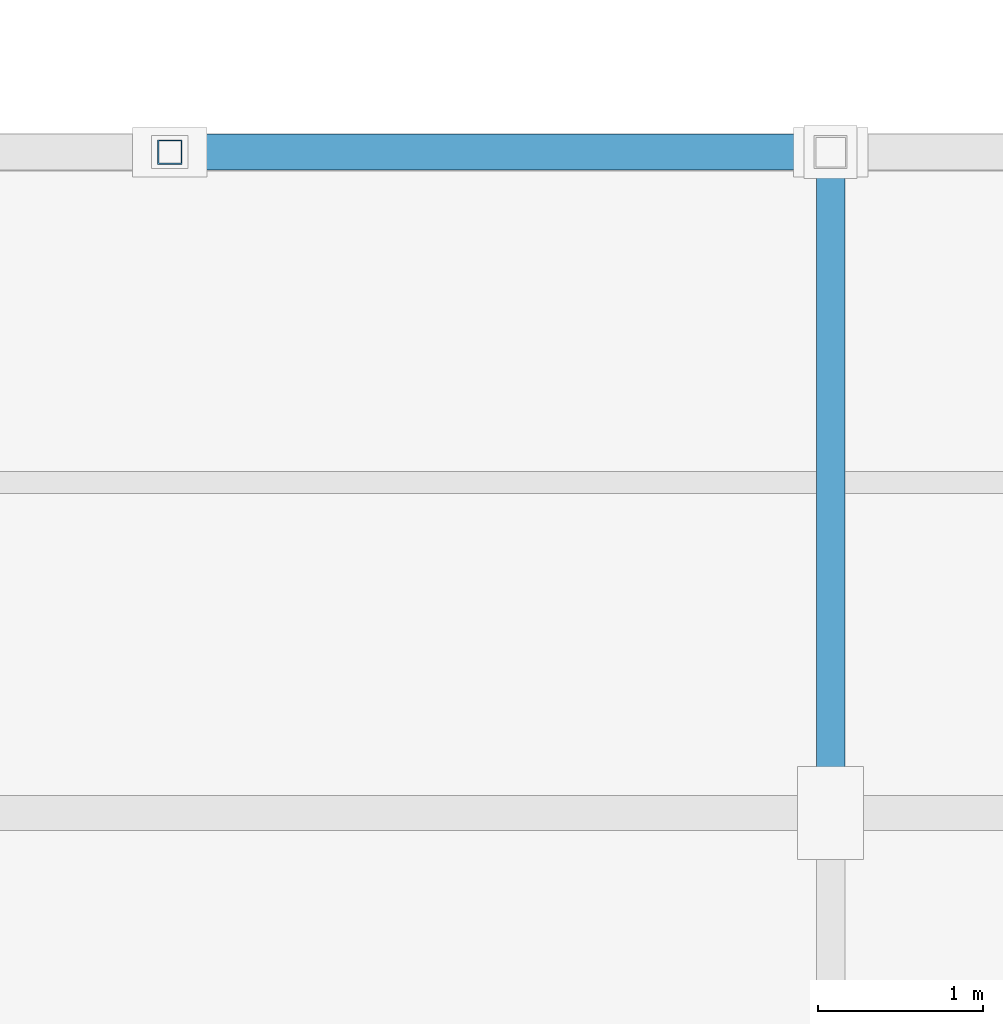
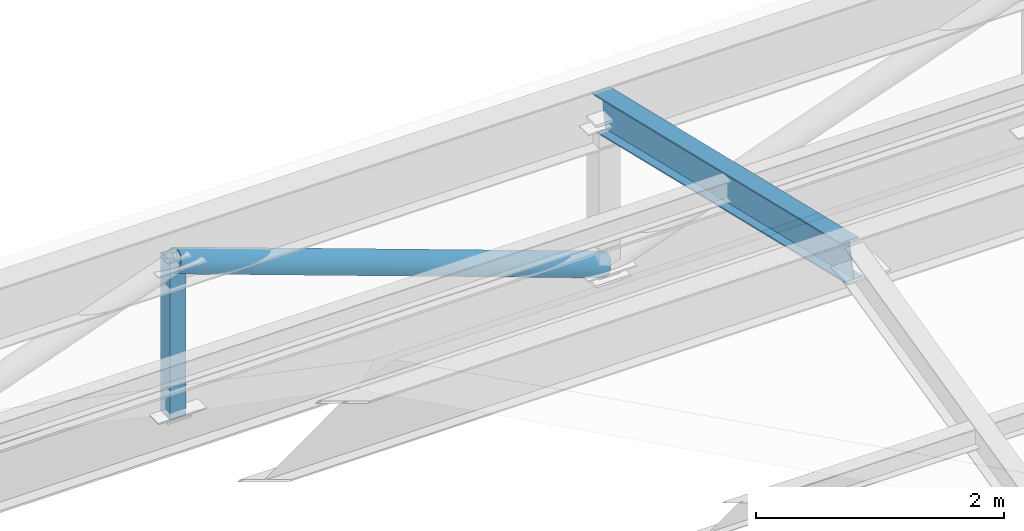
# One storey, part 63 of 112: 3 members.
"""IFC4 building model written with IfcOpenShell, lengths in metres."""

import ifcopenshell
import ifcopenshell.guid

model = None  # the IFC model being written
_history = None  # IfcOwnerHistory: only IFC2X3 demands one
_inside = {}  # id of a spatial element -> (the spatial element, [elements in it])
_under = {}  # id of a project, library or spatial element -> (it, [spatial elements below it])
_declared = {}  # id of a project -> (the project, [libraries it declares])
_typed = {}  # id of a type object -> (the type object, [elements of that type])
_made_of = {}  # id of a material, layer set ... -> (it, [elements and type objects made of it])


def new_model(schema):
    """Start an empty IFC model of exactly this schema.

    Asked for "IFC4X3", IfcOpenShell would pick the latest addendum, in which some entities
    have other attributes; the version numbers below select the first issue.
    IFC2X3 requires an IfcOwnerHistory on every rooted entity: one is made here for all.
    """
    global model, _history
    if schema == "IFC4X3":
        model = ifcopenshell.file(schema_version=(4, 3, 0, 0))
    else:
        model = ifcopenshell.file(schema=schema)
    _inside.clear()
    _under.clear()
    _declared.clear()
    _typed.clear()
    _made_of.clear()
    _history = None
    if model.schema == "IFC2X3":
        org = make("IfcOrganization", Name="unknown")
        user = make(
            "IfcPersonAndOrganization",
            ThePerson=make("IfcPerson", FamilyName="unknown"),
            TheOrganization=org,
        )
        app = make(
            "IfcApplication",
            ApplicationDeveloper=org,
            Version="unknown",
            ApplicationFullName="unknown",
            ApplicationIdentifier="unknown",
        )
        _history = make(
            "IfcOwnerHistory",
            OwningUser=user,
            OwningApplication=app,
            ChangeAction="ADDED",
            CreationDate=0,
        )
    return model


def make(cls, **values):
    """One entity of the class cls with the attributes given. An attribute that is None is left unset."""
    return model.create_entity(
        cls, **{name: value for name, value in values.items() if value is not None}
    )


def rooted(cls, **values):
    """An entity with a GlobalId (a new one), such as an element, a storey or a relation."""
    return make(cls, GlobalId=ifcopenshell.guid.new(), OwnerHistory=_history, **values)


def si_unit(unit_type, name, prefix=None):
    """IfcSIUnit, for example si_unit("LENGTHUNIT", "METRE", prefix="MILLI")."""
    return make("IfcSIUnit", UnitType=unit_type, Prefix=prefix, Name=name)


def assignment(units):
    """IfcUnitAssignment: the units of a project."""
    return None if units is None else make("IfcUnitAssignment", Units=units)


def point(xyz):
    """IfcCartesianPoint."""
    return None if xyz is None else make("IfcCartesianPoint", Coordinates=xyz)


def direction(xyz):
    """IfcDirection."""
    return None if xyz is None else make("IfcDirection", DirectionRatios=xyz)


def frame(location, z_axis=None, x_axis=None):
    """IfcAxis2Placement3D, a coordinate frame: its origin and axes. An axis left out is left unset."""
    return make(
        "IfcAxis2Placement3D",
        Location=point(location),
        Axis=direction(z_axis),
        RefDirection=direction(x_axis),
    )


def frame_2d(location, x_axis=None):
    """IfcAxis2Placement2D, a coordinate frame in the plane: its origin and x axis."""
    return make(
        "IfcAxis2Placement2D", Location=point(location), RefDirection=direction(x_axis)
    )


def origin():
    """The frame at (0, 0, 0) with its axes left unset."""
    return frame((0.0, 0.0, 0.0))


def origin_2d():
    """The frame at (0, 0) in the plane with its x axis left unset."""
    return frame_2d((0.0, 0.0))


def place(relative_to, where):
    """IfcLocalPlacement: puts the frame where relative to a parent placement (None: the world)."""
    return make(
        "IfcLocalPlacement", PlacementRelTo=relative_to, RelativePlacement=where
    )


def context(
    kind, dimensions, precision=None, world=None, true_north=None, identifier=None
):
    """IfcGeometricRepresentationContext, for example the 3D "Model" context."""
    return make(
        "IfcGeometricRepresentationContext",
        ContextIdentifier=identifier,
        ContextType=kind,
        CoordinateSpaceDimension=dimensions,
        Precision=precision,
        WorldCoordinateSystem=world,
        TrueNorth=true_north,
    )


def subcontext(parent, identifier, kind, view, scale=None):
    """IfcGeometricRepresentationSubContext, for example "Body" below "Model"."""
    return make(
        "IfcGeometricRepresentationSubContext",
        ContextIdentifier=identifier,
        ContextType=kind,
        ParentContext=parent,
        TargetScale=scale,
        TargetView=view,
    )


def project(units=None, contexts=None):
    """IfcProject with its units and contexts."""
    return rooted(
        "IfcProject",
        Name="project",
        RepresentationContexts=contexts,
        UnitsInContext=assignment(units),
    )


def spatial(cls, under=None, at=None, **own):
    """A site, building, storey or space (cls), placed at a placement, below another one or the project."""
    s = rooted(cls, ObjectPlacement=at, **own)
    if under is not None:
        _under.setdefault(under.id(), (under, []))[1].append(s)
    return s


def profile(cls, at=None, kind="AREA", **sizes):
    """A parametric profile (cls). Its sizes go by their IFC names, for example OverallWidth=200.0."""
    return make(cls, ProfileType=kind, Position=at, **sizes)


def hollow_rectangle(**sizes):
    """IfcRectangleHollowProfileDef."""
    return profile("IfcRectangleHollowProfileDef", **sizes)


def hollow_circle(**sizes):
    """IfcCircleHollowProfileDef."""
    return profile("IfcCircleHollowProfileDef", **sizes)


def i_section(**sizes):
    """IfcIShapeProfileDef."""
    return profile("IfcIShapeProfileDef", **sizes)


def extrude(swept, where, along, depth):
    """IfcExtrudedAreaSolid: the profile swept, set in the frame where, extruded along a direction by depth."""
    return make(
        "IfcExtrudedAreaSolid",
        SweptArea=swept,
        Position=where,
        ExtrudedDirection=direction(along),
        Depth=depth,
    )


def shape(context_of_items, identifier, shape_type, items):
    """IfcShapeRepresentation: the items that make up one representation, for example the "Body"."""
    return make(
        "IfcShapeRepresentation",
        ContextOfItems=context_of_items,
        RepresentationIdentifier=identifier,
        RepresentationType=shape_type,
        Items=items,
    )


def material(Name=None, Category=None):
    """IfcMaterial."""
    return make("IfcMaterial", Name=Name, Category=Category)


def material_profile(
    of_material, cross_section, Name=None, Category=None, Priority=None
):
    """IfcMaterialProfile: a cross section and its material."""
    return make(
        "IfcMaterialProfile",
        Name=Name,
        Material=of_material,
        Profile=cross_section,
        Priority=Priority,
        Category=Category,
    )


def profile_set(profiles, Name=None, composite=None):
    """IfcMaterialProfileSet."""
    return make(
        "IfcMaterialProfileSet",
        Name=Name,
        MaterialProfiles=profiles,
        CompositeProfile=composite,
    )


def made_of(thing, what):
    """Note that an element or type object is made of a material, layer set ...; save() writes the relation."""
    if what is not None:
        _made_of.setdefault(what.id(), (what, []))[1].append(thing)
    return thing


def type_object(cls, material=None, **own):
    """A type object (cls), such as IfcWallType, which elements share."""
    return made_of(rooted(cls, **own), material)


def element(
    cls,
    number,
    at=None,
    inside=None,
    cuts=None,
    type_object=None,
    material=None,
    context=None,
    identifier="Body",
    shape_type=None,
    held_by="IfcProductDefinitionShape",
    body=None,
    shapes=None,
    **own,
):
    """One element of the class cls, such as IfcWall. Its Tag is "e" and its number.

    at: its placement. inside: the storey or other place that contains it. cuts: it is an
    opening in that element (IfcRelVoidsElement). A single representation is given by context,
    identifier, shape_type and body (its items); several are given by shapes. held_by: the class
    of the entity that holds the representations. save() writes the other relations.
    """
    e = rooted(cls, Tag="e%d" % number, ObjectPlacement=at, **own)
    if body is not None:
        shapes = [shape(context, identifier, shape_type, body)]
    if shapes is not None:
        e.Representation = make(held_by, Representations=shapes)
    if inside is not None:
        _inside.setdefault(inside.id(), (inside, []))[1].append(e)
    if cuts is not None:
        rooted(
            "IfcRelVoidsElement", RelatingBuildingElement=cuts, RelatedOpeningElement=e
        )
    if type_object is not None:
        _typed.setdefault(type_object.id(), (type_object, []))[1].append(e)
    return made_of(e, material)


def aggregate(whole, parts):
    """IfcRelAggregates: a whole, such as a stair, and the parts it consists of."""
    return rooted("IfcRelAggregates", RelatingObject=whole, RelatedObjects=parts)


def save(model, path):
    """Write the relations noted so far, then the file.

    IfcRelAggregates (storeys below a building ...), IfcRelContainedInSpatialStructure (elements
    in a storey), IfcRelDefinesByType, IfcRelAssociatesMaterial and IfcRelDeclares: one each for
    every whole, place, type object, material and project.
    """
    for whole, parts in _under.values():
        aggregate(whole, parts)
    for where, things in _inside.values():
        rooted(
            "IfcRelContainedInSpatialStructure",
            RelatedElements=things,
            RelatingStructure=where,
        )
    for kind, things in _typed.values():
        rooted("IfcRelDefinesByType", RelatedObjects=things, RelatingType=kind)
    for what, things in _made_of.values():
        rooted("IfcRelAssociatesMaterial", RelatedObjects=things, RelatingMaterial=what)
    for by, libraries in _declared.values():
        rooted("IfcRelDeclares", RelatingContext=by, RelatedDefinitions=libraries)
    model.write(path)


model = new_model("IFC4")

# Units and contexts
model_context = context("Model", 3, precision=1e-05, world=origin(), true_north=direction((0.0, 1.0)))
body_context = subcontext(model_context, "Body", "Model", "MODEL_VIEW")
ifc_project = project(units=[si_unit("LENGTHUNIT", "METRE"), si_unit("AREAUNIT", "SQUARE_METRE"), si_unit("VOLUMEUNIT", "CUBIC_METRE"), si_unit("PLANEANGLEUNIT", "RADIAN"), si_unit("MASSUNIT", "GRAM", prefix="KILO")], contexts=[model_context])

# Site, building, storey
site_placement = place(None, origin())
site = spatial("IfcSite", under=ifc_project, at=site_placement, CompositionType="ELEMENT")
building_placement = place(site_placement, origin())
building = spatial("IfcBuilding", under=site, at=building_placement, Name="Celadon Cloister-Ring School", CompositionType="ELEMENT")
storey_placement = place(building_placement, frame((0.0, 0.0, 8.5)))
storey = spatial("IfcBuildingStorey", under=building, at=storey_placement, Name="L02", CompositionType="ELEMENT", Elevation=8.5)

# Members
ifc_material_1 = material(Name="Structural steel S355JR", Category="steel")
ifc_material_profile_1 = material_profile(ifc_material_1, hollow_rectangle(XDim=0.14990234375, YDim=0.14990234375, WallThickness=0.008056640625, at=origin_2d()), Name="HSS150X150X8")
ifc_profile_set_1 = profile_set([ifc_material_profile_1], Name="Structural steel S355JR")
member_type_1 = type_object("IfcMemberType", Name="MB-05", PredefinedType="BRACE", material=ifc_profile_set_1)
member_1_placement = place(storey_placement, frame((154.0, 114.0, 0.919921875), z_axis=(0.0, 0.0, 1.0), x_axis=(1.0, 0.0, 0.0)))
element("IfcMember", 1, at=member_1_placement, inside=storey, type_object=member_type_1, Name="Structural Member 0495", PredefinedType="BRACE", context=body_context, shape_type="SweptSolid", body=[
    extrude(hollow_rectangle(XDim=0.14990234375, YDim=0.14990234375, WallThickness=0.008056640625, at=origin_2d()), origin(), (0.0, 0.0, 1.0), 1.56005859375),
])
ifc_material_2 = material(Name="Structural steel S355JR", Category="steel")
ifc_material_profile_2 = material_profile(ifc_material_2, hollow_circle(Radius=0.109619140625, WallThickness=0.010009765625, at=origin_2d()), Name="CHS219.1X10")
ifc_profile_set_2 = profile_set([ifc_material_profile_2], Name="Structural steel S355JR")
member_type_2 = type_object("IfcMemberType", Name="MB-08", PredefinedType="BRACE", material=ifc_profile_set_2)
member_2_placement = place(storey_placement, frame((154.0, 114.0, 2.419921875), z_axis=(0.94089180426, 0.0, -0.338707266939), x_axis=(0.0, 1.0, 0.0)))
element("IfcMember", 2, at=member_2_placement, inside=storey, type_object=member_type_2, Name="Structural Member 0502", PredefinedType="BRACE", context=body_context, shape_type="SweptSolid", body=[
    extrude(hollow_circle(Radius=0.109619140625, WallThickness=0.010009765625, at=origin_2d()), origin(), (0.0, 0.0, 1.0), 4.251220703125),
])
ifc_material_3 = material(Name="Structural steel S355JR", Category="steel")
ifc_material_profile_3 = material_profile(ifc_material_3, i_section(OverallWidth=0.1708984375, OverallDepth=0.35498046875, WebThickness=0.007080078125, FlangeThickness=0.01171875, at=origin_2d()), Name="W360X51")
ifc_profile_set_3 = profile_set([ifc_material_profile_3], Name="Structural steel S355JR")
member_type_3 = type_object("IfcMemberType", Name="MR-05", PredefinedType="RAFTER", material=ifc_profile_set_3)
member_3_placement = place(storey_placement, frame((158.0, 110.0, 3.449951171875), z_axis=(0.0, 0.97293922076, -0.231061188231), x_axis=(-1.0, 0.0, 0.0)))
element("IfcMember", 3, at=member_3_placement, inside=storey, type_object=member_type_3, Name="Structural Member 0575", PredefinedType="RAFTER", context=body_context, shape_type="SweptSolid", body=[
    extrude(i_section(OverallWidth=0.1708984375, OverallDepth=0.35498046875, WebThickness=0.007080078125, FlangeThickness=0.01171875, at=origin_2d()), origin(), (0.0, 0.0, 1.0), 4.111328125),
])

save(model, "model.ifc")
